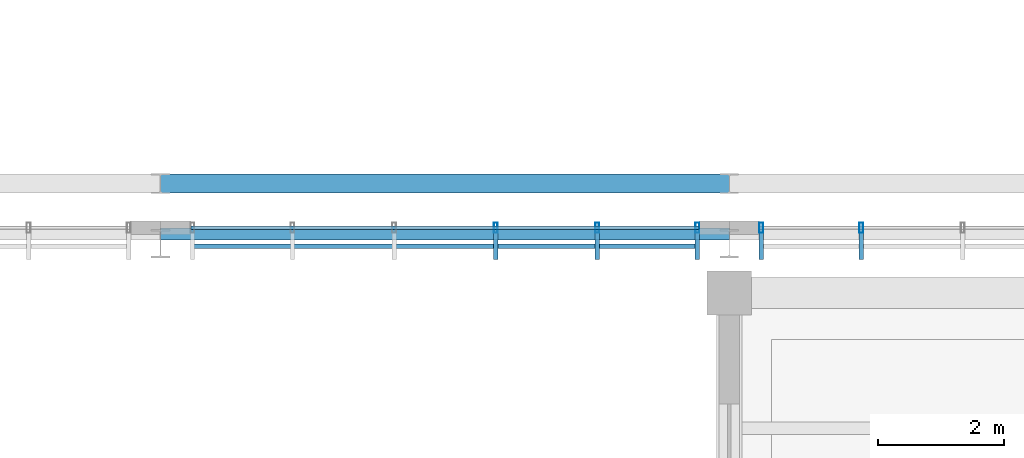
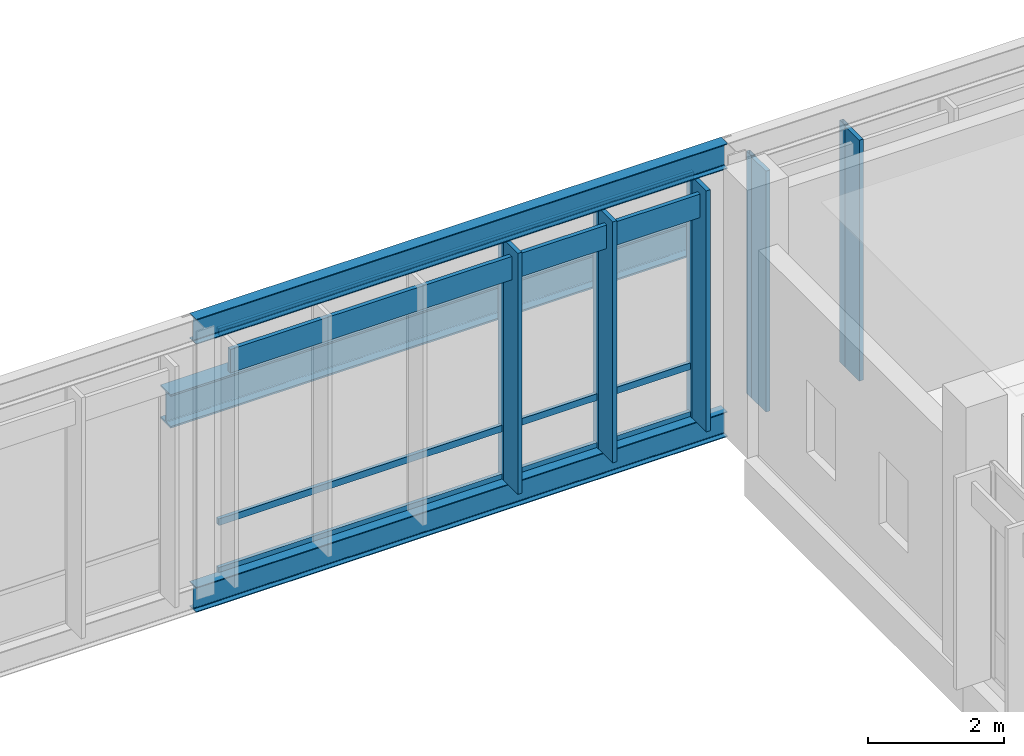
# One storey, part 95 of 177: 14 members, 3 beams, 2 elements without a shape of their own.
"""IFC4 building model written with IfcOpenShell, lengths in metres."""

from ifc_helpers import new_model, si_unit, direction, frame, origin, origin_2d, place, context, subcontext, project, spatial, rectangle, hollow_rectangle, i_section, extrude, material, material_profile, profile_set, type_object, element, aggregate, save


model = new_model("IFC4")

# Units and contexts
model_context = context("Model", 3, precision=1e-05, world=origin(), true_north=direction((0.0, 1.0)))
body_context = subcontext(model_context, "Body", "Model", "MODEL_VIEW")
ifc_project = project(units=[si_unit("LENGTHUNIT", "METRE"), si_unit("AREAUNIT", "SQUARE_METRE"), si_unit("VOLUMEUNIT", "CUBIC_METRE"), si_unit("PLANEANGLEUNIT", "RADIAN"), si_unit("MASSUNIT", "GRAM", prefix="KILO")], contexts=[model_context])

# Site, building, storey
site_placement = place(None, origin())
site = spatial("IfcSite", under=ifc_project, at=site_placement, CompositionType="ELEMENT")
building_placement = place(site_placement, origin())
building = spatial("IfcBuilding", under=site, at=building_placement, Name="Chiffa Square Polytechnic", CompositionType="ELEMENT")
storey_placement = place(building_placement, frame((0.0, 0.0, 4.800048828125)))
storey = spatial("IfcBuildingStorey", under=building, at=storey_placement, Name="L01", CompositionType="ELEMENT", Elevation=4.800048828125)

# Beams
ifc_material_1 = material(Name="Steel S355", Category="steel")
ifc_material_profile_1 = material_profile(ifc_material_1, i_section(OverallWidth=0.18994140625, OverallDepth=0.449951171875, WebThickness=0.009521484375, FlangeThickness=0.0146484375, FilletRadius=0.02099609375, at=origin_2d()), Name="IPE 450")
ifc_profile_set_1 = profile_set([ifc_material_profile_1], Name="Steel S355")
beam_type_1 = type_object("IfcBeamType", Name="BM-STL-IPE450", PredefinedType="BEAM", material=ifc_profile_set_1)
for number, where, z_axis, x_axis, name in (
    (1, (139.199951171875, 58.35009765625, -0.22509765625), (1.0, 0.0, 0.0), (0.0, 1.0, 0.0), "Workshop south clerestory sill girder BM-V2-STIE-L01-2"),
    (2, (139.199951171875, 58.35009765625, 4.574951171875), (1.0, 0.0, 0.0), (0.0, 1.0, 0.0), "Workshop south eave tie girder BM-V2-STIE-L02-2"),
):
    element("IfcBeam", number, at=place(storey_placement, frame(where, z_axis=z_axis, x_axis=x_axis)), inside=storey, type_object=beam_type_1, Name=name, PredefinedType="BEAM", context=body_context, shape_type="SweptSolid", body=[
        extrude(i_section(OverallWidth=0.18994140625, OverallDepth=0.449951171875, WebThickness=0.009521484375, FlangeThickness=0.0146484375, FilletRadius=0.02099609375, at=origin_2d()), origin(), (0.0, 0.0, 1.0), 9.0),
    ])
ifc_material_profile_2 = material_profile(ifc_material_1, i_section(OverallWidth=0.300048828125, OverallDepth=0.60009765625, WebThickness=0.015380859375, FlangeThickness=0.030029296875, FilletRadius=0.027099609375, at=origin_2d()), Name="HEB 600")
ifc_profile_set_2 = profile_set([ifc_material_profile_2], Name="Steel S355")
beam_type_2 = type_object("IfcBeamType", Name="CG-STL-HEB600", PredefinedType="USERDEFINED", material=ifc_profile_set_2)
beam_placement = place(storey_placement, frame((139.199951171875, 59.14990234375, 2.699951171875), z_axis=(1.0, 0.0, 0.0), x_axis=(0.0, 1.0, 0.0)))
element("IfcBeam", 3, at=beam_placement, inside=storey, type_object=beam_type_2, Name="Bridge crane runway girder CG-V2-L01-S04", ObjectType="CRANE GIRDER", PredefinedType="USERDEFINED", context=body_context, shape_type="SweptSolid", body=[
    extrude(i_section(OverallWidth=0.300048828125, OverallDepth=0.60009765625, WebThickness=0.015380859375, FlangeThickness=0.030029296875, FilletRadius=0.027099609375, at=origin_2d()), origin(), (0.0, 0.0, 1.0), 9.0),
])

# Curtain wall, members
ifc_material_2 = material(Name="Aluminium EN AW-6060 T66 and glulam shading", Category="wood")
curtain_wall_type_1 = type_object("IfcCurtainWallType", Name="CW-VERT-450X380", PredefinedType="USERDEFINED", material=ifc_material_2)
curtain_wall_1_placement = place(storey_placement, origin())
curtain_wall_1 = element("IfcCurtainWall", 4, at=curtain_wall_1_placement, inside=storey, type_object=curtain_wall_type_1, Name="Curtain wall CW-V2-L01S-02", ObjectType="CURTAIN WALL", PredefinedType="USERDEFINED")
ifc_material_3 = material(Name="Aluminium EN AW-6060 T66", Category="aluminium")
ifc_material_profile_3 = material_profile(ifc_material_3, hollow_rectangle(XDim=0.06005859375, YDim=0.159912109375, WallThickness=0.00390625, at=origin_2d()), Name="ALU 60x160x4")
ifc_profile_set_3 = profile_set([ifc_material_profile_3], Name="Aluminium EN AW-6060 T66")
member_type_1 = type_object("IfcMemberType", Name="CWM-ALU-65X150", PredefinedType="MULLION", material=ifc_profile_set_3)
member_1_placement = place(storey_placement, frame((144.50390625, 58.449951171875, 0.0), z_axis=(0.0, 0.0, 1.0), x_axis=(1.0, 0.0, 0.0)))
member_1 = element("IfcMember", 5, at=member_1_placement, type_object=member_type_1, Name="Curtain wall mullion CW-V2-L01S-02-M03", PredefinedType="MULLION", context=body_context, shape_type="SweptSolid", body=[
    extrude(hollow_rectangle(XDim=0.06005859375, YDim=0.159912109375, WallThickness=0.00390625, at=origin_2d()), origin(), (0.0, 0.0, 1.0), 4.3349609375),
])
member_2_placement = place(storey_placement, frame((146.112060546875, 58.449951171875, 0.0), z_axis=(0.0, 0.0, 1.0), x_axis=(1.0, 0.0, 0.0)))
member_2 = element("IfcMember", 6, at=member_2_placement, type_object=member_type_1, Name="Curtain wall mullion CW-V2-L01S-02-M04", PredefinedType="MULLION", context=body_context, shape_type="SweptSolid", body=[
    extrude(hollow_rectangle(XDim=0.06005859375, YDim=0.159912109375, WallThickness=0.00390625, at=origin_2d()), origin(), (0.0, 0.0, 1.0), 4.3349609375),
])
member_3_placement = place(storey_placement, frame((147.695068359375, 58.449951171875, 0.0), z_axis=(0.0, 0.0, 1.0), x_axis=(1.0, 0.0, 0.0)))
member_3 = element("IfcMember", 7, at=member_3_placement, type_object=member_type_1, Name="Curtain wall mullion CW-V2-L01S-02-M05", PredefinedType="MULLION", context=body_context, shape_type="SweptSolid", body=[
    extrude(hollow_rectangle(XDim=0.06005859375, YDim=0.159912109375, WallThickness=0.00390625, at=origin_2d()), origin(), (0.0, 0.0, 1.0), 4.3349609375),
])

curtain_wall_type_2 = type_object("IfcCurtainWallType", Name="CW-VERT-300X380", PredefinedType="USERDEFINED", material=ifc_material_2)
curtain_wall_2_placement = place(storey_placement, origin())
curtain_wall_2 = element("IfcCurtainWall", 8, at=curtain_wall_2_placement, inside=storey, type_object=curtain_wall_type_2, Name="Curtain wall CW-V2-L01S-03", ObjectType="CURTAIN WALL", PredefinedType="USERDEFINED")
member_4_placement = place(storey_placement, frame((148.705078125, 58.449951171875, 0.0), z_axis=(0.0, 0.0, 1.0), x_axis=(1.0, 0.0, 0.0)))
member_4 = element("IfcMember", 9, at=member_4_placement, type_object=member_type_1, Name="Curtain wall mullion CW-V2-L01S-03-M00", PredefinedType="MULLION", context=body_context, shape_type="SweptSolid", body=[
    extrude(hollow_rectangle(XDim=0.06005859375, YDim=0.159912109375, WallThickness=0.00390625, at=origin_2d()), origin(), (0.0, 0.0, 1.0), 4.3349609375),
])
member_5_placement = place(storey_placement, frame((150.2880859375, 58.449951171875, 0.0), z_axis=(0.0, 0.0, 1.0), x_axis=(1.0, 0.0, 0.0)))
member_5 = element("IfcMember", 10, at=member_5_placement, type_object=member_type_1, Name="Curtain wall mullion CW-V2-L01S-03-M01", PredefinedType="MULLION", context=body_context, shape_type="SweptSolid", body=[
    extrude(hollow_rectangle(XDim=0.06005859375, YDim=0.159912109375, WallThickness=0.00390625, at=origin_2d()), origin(), (0.0, 0.0, 1.0), 4.3349609375),
])

# Member
ifc_material_4 = material(Name="Glulam GL28h", Category="wood")
ifc_material_profile_4 = material_profile(ifc_material_4, rectangle(XDim=0.070068359375, YDim=0.419921875, at=origin_2d()), Name="GL28h 70x420")
ifc_profile_set_4 = profile_set([ifc_material_profile_4], Name="Glulam GL28h")
member_type_2 = type_object("IfcMemberType", Name="CWM-GL-70X420", PredefinedType="MULLION", material=ifc_profile_set_4)
member_6_placement = place(storey_placement, frame((144.50390625, 58.157958984375, 0.010009765625), z_axis=(0.0, 0.0, 1.0), x_axis=(1.0, 0.0, 0.0)))
member_6 = element("IfcMember", 11, at=member_6_placement, type_object=member_type_2, Name="Exterior glulam solar fin CW-V2-L01S-02-FN03", PredefinedType="MULLION", context=body_context, shape_type="SweptSolid", body=[
    extrude(rectangle(XDim=0.070068359375, YDim=0.419921875, at=origin_2d()), origin(), (0.0, 0.0, 1.0), 4.31494140625),
])

member_7_placement = place(storey_placement, frame((146.112060546875, 58.157958984375, 0.010009765625), z_axis=(0.0, 0.0, 1.0), x_axis=(1.0, 0.0, 0.0)))
member_7 = element("IfcMember", 12, at=member_7_placement, type_object=member_type_2, Name="Exterior glulam solar fin CW-V2-L01S-02-FN04", PredefinedType="MULLION", context=body_context, shape_type="SweptSolid", body=[
    extrude(rectangle(XDim=0.070068359375, YDim=0.419921875, at=origin_2d()), origin(), (0.0, 0.0, 1.0), 4.31494140625),
])

member_8_placement = place(storey_placement, frame((147.695068359375, 58.157958984375, 0.010009765625), z_axis=(0.0, 0.0, 1.0), x_axis=(1.0, 0.0, 0.0)))
member_8 = element("IfcMember", 13, at=member_8_placement, type_object=member_type_2, Name="Exterior glulam solar fin CW-V2-L01S-02-FN05", PredefinedType="MULLION", context=body_context, shape_type="SweptSolid", body=[
    extrude(rectangle(XDim=0.070068359375, YDim=0.419921875, at=origin_2d()), origin(), (0.0, 0.0, 1.0), 4.31494140625),
])

member_9_placement = place(storey_placement, frame((148.705078125, 58.157958984375, 0.010009765625), z_axis=(0.0, 0.0, 1.0), x_axis=(1.0, 0.0, 0.0)))
member_9 = element("IfcMember", 14, at=member_9_placement, type_object=member_type_2, Name="Exterior glulam solar fin CW-V2-L01S-03-FN00", PredefinedType="MULLION", context=body_context, shape_type="SweptSolid", body=[
    extrude(rectangle(XDim=0.070068359375, YDim=0.419921875, at=origin_2d()), origin(), (0.0, 0.0, 1.0), 4.31494140625),
])

member_10_placement = place(storey_placement, frame((150.2880859375, 58.157958984375, 0.010009765625), z_axis=(0.0, 0.0, 1.0), x_axis=(1.0, 0.0, 0.0)))
member_10 = element("IfcMember", 15, at=member_10_placement, type_object=member_type_2, Name="Exterior glulam solar fin CW-V2-L01S-03-FN01", PredefinedType="MULLION", context=body_context, shape_type="SweptSolid", body=[
    extrude(rectangle(XDim=0.070068359375, YDim=0.419921875, at=origin_2d()), origin(), (0.0, 0.0, 1.0), 4.31494140625),
])

aggregate(curtain_wall_2, [member_4, member_9, member_5, member_10])

ifc_material_profile_5 = material_profile(ifc_material_3, hollow_rectangle(XDim=0.06005859375, YDim=0.1201171875, WallThickness=0.00390625, at=origin_2d()), Name="ALU 60x120x4")
ifc_profile_set_5 = profile_set([ifc_material_profile_5], Name="Aluminium EN AW-6060 T66")
member_type_3 = type_object("IfcMemberType", Name="CWT-ALU-65X120", PredefinedType="USERDEFINED", material=ifc_profile_set_5)
member_11_placement = place(storey_placement, frame((139.677978515625, 58.449951171875, 0.030029296875), z_axis=(1.0, 0.0, 0.0), x_axis=(0.0, 1.0, 0.0)))
member_11 = element("IfcMember", 16, at=member_11_placement, type_object=member_type_3, Name="Curtain wall transom CW-V2-L01S-02-T01", ObjectType="TRANSOM", PredefinedType="USERDEFINED", context=body_context, shape_type="SweptSolid", body=[
    extrude(hollow_rectangle(XDim=0.06005859375, YDim=0.1201171875, WallThickness=0.00390625, at=origin_2d()), origin(), (0.0, 0.0, 1.0), 8.0439453125),
])

member_12_placement = place(storey_placement, frame((139.677978515625, 58.449951171875, 0.89990234375), z_axis=(1.0, 0.0, 0.0), x_axis=(0.0, 1.0, 0.0)))
member_12 = element("IfcMember", 17, at=member_12_placement, type_object=member_type_3, Name="Curtain wall transom CW-V2-L01S-02-T02", ObjectType="TRANSOM", PredefinedType="USERDEFINED", context=body_context, shape_type="SweptSolid", body=[
    extrude(hollow_rectangle(XDim=0.06005859375, YDim=0.1201171875, WallThickness=0.00390625, at=origin_2d()), origin(), (0.0, 0.0, 1.0), 8.0439453125),
])

member_13_placement = place(storey_placement, frame((139.677978515625, 58.449951171875, 4.304931640625), z_axis=(1.0, 0.0, 0.0), x_axis=(0.0, 1.0, 0.0)))
member_13 = element("IfcMember", 18, at=member_13_placement, type_object=member_type_3, Name="Curtain wall transom CW-V2-L01S-02-T03", ObjectType="TRANSOM", PredefinedType="USERDEFINED", context=body_context, shape_type="SweptSolid", body=[
    extrude(hollow_rectangle(XDim=0.06005859375, YDim=0.1201171875, WallThickness=0.00390625, at=origin_2d()), origin(), (0.0, 0.0, 1.0), 8.0439453125),
])

ifc_material_profile_6 = material_profile(ifc_material_4, rectangle(XDim=0.070068359375, YDim=0.419921875, at=origin_2d()), Name="GL28h 70x420")
ifc_profile_set_6 = profile_set([ifc_material_profile_6], Name="Glulam GL28h")
member_type_4 = type_object("IfcMemberType", Name="CWT-GL-70X420", PredefinedType="USERDEFINED", material=ifc_profile_set_6)
member_14_placement = place(storey_placement, frame((139.705078125, 58.157958984375, 3.954833984375), z_axis=(1.0, 0.0, 0.0), x_axis=(0.0, 1.0, 0.0)))
member_14 = element("IfcMember", 19, at=member_14_placement, type_object=member_type_4, Name="Exterior glulam brise-soleil CW-V2-L01S-02-BS01", ObjectType="TRANSOM", PredefinedType="USERDEFINED", context=body_context, shape_type="SweptSolid", body=[
    extrude(rectangle(XDim=0.070068359375, YDim=0.419921875, at=origin_2d()), origin(), (0.0, 0.0, 1.0), 7.989990234375),
])

aggregate(curtain_wall_1, [member_1, member_6, member_2, member_7, member_3, member_8, member_11, member_12, member_13, member_14])

save(model, "model.ifc")
